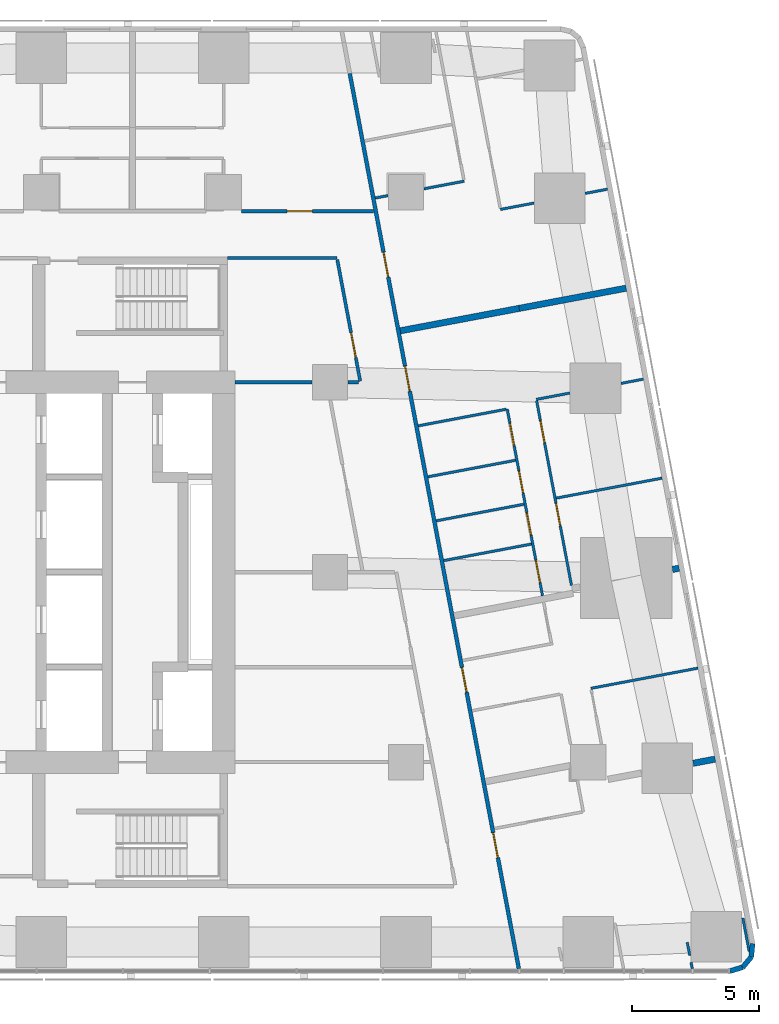
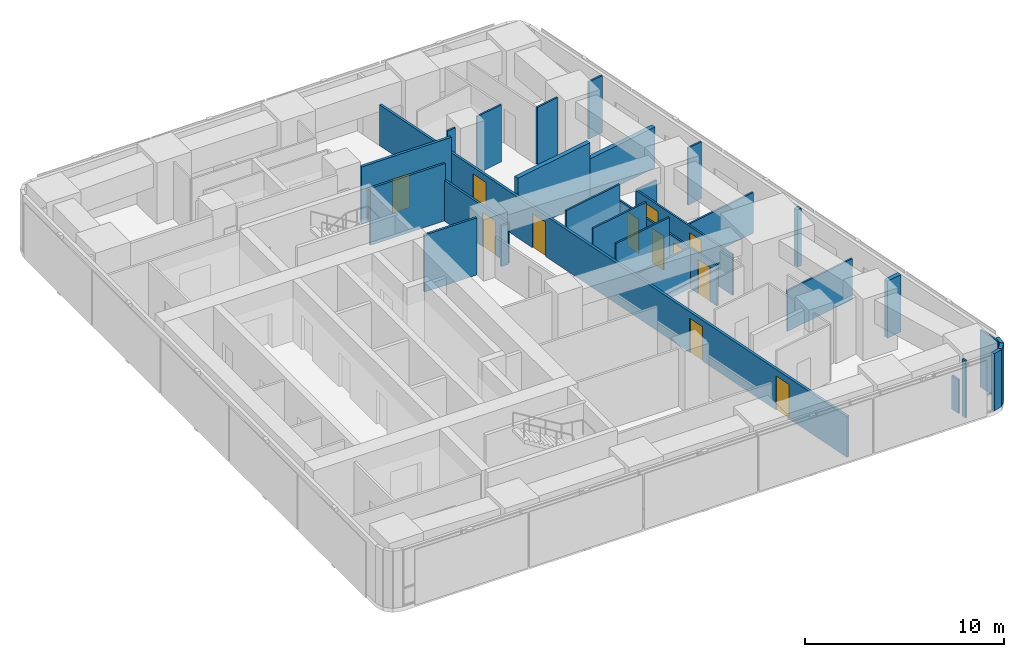
# One storey, part 7 of 11: 30 walls, 12 doors, 12 openings.
"""IFC4 building model written with IfcOpenShell, lengths in metres."""

from ifc_helpers import new_model, si_unit, direction, frame, frame_2d, origin, place, context, subcontext, project, spatial, rectangle, extrude, material, layer, layer_set, type_object, element, fill, save


model = new_model("IFC4")

# Units and contexts
model_context = context("Model", 3, precision=1e-05, world=origin(), true_north=direction((0.0, 1.0)))
body_context = subcontext(model_context, "Body", "Model", "MODEL_VIEW")
ifc_project = project(units=[si_unit("LENGTHUNIT", "METRE"), si_unit("AREAUNIT", "SQUARE_METRE"), si_unit("VOLUMEUNIT", "CUBIC_METRE"), si_unit("PLANEANGLEUNIT", "RADIAN"), si_unit("MASSUNIT", "GRAM", prefix="KILO")], contexts=[model_context])

# Site, building, storey
site_placement = place(None, origin())
site = spatial("IfcSite", under=ifc_project, at=site_placement, CompositionType="ELEMENT")
building_placement = place(site_placement, origin())
building = spatial("IfcBuilding", under=site, at=building_placement, Name="Sheger Commons Tower", CompositionType="ELEMENT")
storey_placement = place(building_placement, frame((0.0, 0.0, 255.35009765625)))
storey = spatial("IfcBuildingStorey", under=building, at=storey_placement, Name="L65", CompositionType="ELEMENT", Elevation=255.35009765625)

# Wall, opening, door
ifc_material_1 = material(Name="Hollow concrete block masonry, skimmed both sides", Category="masonry")
ifc_layer_1 = layer(ifc_material_1, 0.14990234375)
ifc_layer_set_1 = layer_set([ifc_layer_1], Name="CORRIDOR WALL 150")
wall_type_1 = type_object("IfcWallType", Name="CORRIDOR WALL 150", PredefinedType="SOLIDWALL", material=ifc_layer_set_1)
wall_1_placement = place(storey_placement, frame((29.5009765625, 36.75, 0.0), z_axis=(0.0, 0.0, 1.0), x_axis=(1.0, 0.0, 0.0)))
wall_1 = element("IfcWall", 1, at=wall_1_placement, inside=storey, type_object=wall_type_1, Name="Corridor wall L65", PredefinedType="SOLIDWALL", context=body_context, shape_type="SweptSolid", body=[
    extrude(rectangle(XDim=5.216064453125, YDim=0.14990234375, at=frame_2d((2.60791015625, 0.0))), origin(), (0.0, 0.0, 1.0), 3.5),
])
opening_1_placement = place(wall_1_placement, frame((1.802978515625, 0.0, 0.0)))
opening_1 = element("IfcOpeningElement", 2, at=opening_1_placement, cuts=wall_1, Name="Opening D1", PredefinedType="OPENING", context=body_context, shape_type="SweptSolid", body=[
    extrude(rectangle(XDim=1.0, YDim=2.10009765625, at=frame_2d((0.5, 1.050048828125))), frame((0.0, 0.0849609375, 0.0), z_axis=(0.0, -1.0, 0.0), x_axis=(1.0, 0.0, 0.0)), (0.0, 0.0, 1.0), 0.169921875),
])
ifc_material_2 = material(Name="Steel door set, fire rated", Category="steel")
door_type_1 = type_object("IfcDoorType", Name="FLAT ENTRANCE DOOR 1000x2100", OperationType="NOTDEFINED", PredefinedType="DOOR", material=ifc_material_2)
door_1_placement = place(opening_1_placement, origin())
door_1 = element("IfcDoor", 3, at=door_1_placement, inside=storey, type_object=door_type_1, Name="Flat entrance door", OperationType="SINGLE_SWING_LEFT", OverallHeight=2.10009765625, OverallWidth=1.0, PredefinedType="DOOR", context=body_context, shape_type="SweptSolid", body=[
    extrude(rectangle(XDim=1.0, YDim=2.10009765625, at=frame_2d((0.5, 1.050048828125))), frame((0.0, 0.02490234375, 0.0), z_axis=(0.0, -1.0, 0.0), x_axis=(1.0, 0.0, 0.0)), (0.0, 0.0, 1.0), 0.050048828125),
])
fill(opening_1, door_1)

# Wall, openings, doors
wall_2_placement = place(storey_placement, frame((33.781005859375, 42.18603515625, 0.0), z_axis=(0.0, 0.0, 1.0), x_axis=(0.185593518645, -0.9826266055, 0.0)))
wall_2 = element("IfcWall", 4, at=wall_2_placement, inside=storey, type_object=wall_type_1, Name="Corridor wall L65", PredefinedType="SOLIDWALL", context=body_context, shape_type="SweptSolid", body=[
    extrude(rectangle(XDim=35.960693359375, YDim=0.14990234375, at=frame_2d((17.98046875, 0.0))), origin(), (0.0, 0.0, 1.0), 2.5),
])
opening_2_placement = place(wall_2_placement, frame((7.18310546875, 0.0, 0.0)))
opening_2 = element("IfcOpeningElement", 5, at=opening_2_placement, cuts=wall_2, Name="Opening D1", PredefinedType="OPENING", context=body_context, shape_type="SweptSolid", body=[
    extrude(rectangle(XDim=1.0, YDim=2.10009765625, at=frame_2d((0.5, 1.050048828125))), frame((0.0, 0.0849609375, 0.0), z_axis=(0.0, -1.0, 0.0), x_axis=(1.0, 0.0, 0.0)), (0.0, 0.0, 1.0), 0.169921875),
])
opening_3_placement = place(wall_2_placement, frame((11.760009765625, 0.0, 0.0)))
opening_3 = element("IfcOpeningElement", 6, at=opening_3_placement, cuts=wall_2, Name="Opening D1", PredefinedType="OPENING", context=body_context, shape_type="SweptSolid", body=[
    extrude(rectangle(XDim=1.0, YDim=2.10009765625, at=frame_2d((0.5, 1.050048828125))), frame((0.0, 0.0849609375, 0.0), z_axis=(0.0, -1.0, 0.0), x_axis=(1.0, 0.0, 0.0)), (0.0, 0.0, 1.0), 0.169921875),
])
opening_4_placement = place(wall_2_placement, frame((23.863037109375, 0.0, 0.0)))
opening_4 = element("IfcOpeningElement", 7, at=opening_4_placement, cuts=wall_2, Name="Opening D1", PredefinedType="OPENING", context=body_context, shape_type="SweptSolid", body=[
    extrude(rectangle(XDim=1.0, YDim=2.10009765625, at=frame_2d((0.5, 1.050048828125))), frame((0.0, 0.0849609375, 0.0), z_axis=(0.0, -1.0, 0.0), x_axis=(1.0, 0.0, 0.0)), (0.0, 0.0, 1.0), 0.169921875),
])
opening_5_placement = place(wall_2_placement, frame((30.501953125, 0.0, 0.0)))
opening_5 = element("IfcOpeningElement", 8, at=opening_5_placement, cuts=wall_2, Name="Opening D1", PredefinedType="OPENING", context=body_context, shape_type="SweptSolid", body=[
    extrude(rectangle(XDim=1.0, YDim=2.10009765625, at=frame_2d((0.5, 1.050048828125))), frame((0.0, 0.0849609375, 0.0), z_axis=(0.0, -1.0, 0.0), x_axis=(1.0, 0.0, 0.0)), (0.0, 0.0, 1.0), 0.169921875),
])
door_2_placement = place(opening_2_placement, origin())
door_2 = element("IfcDoor", 9, at=door_2_placement, inside=storey, type_object=door_type_1, Name="Flat entrance door", OperationType="SINGLE_SWING_RIGHT", OverallHeight=2.10009765625, OverallWidth=1.0, PredefinedType="DOOR", context=body_context, shape_type="SweptSolid", body=[
    extrude(rectangle(XDim=1.0, YDim=2.10009765625, at=frame_2d((0.5, 1.050048828125))), frame((0.0, 0.02490234375, 0.0), z_axis=(0.0, -1.0, 0.0), x_axis=(1.0, 0.0, 0.0)), (0.0, 0.0, 1.0), 0.050048828125),
])
fill(opening_2, door_2)
door_3_placement = place(opening_3_placement, origin())
door_3 = element("IfcDoor", 10, at=door_3_placement, inside=storey, type_object=door_type_1, Name="Flat entrance door", OperationType="SINGLE_SWING_LEFT", OverallHeight=2.10009765625, OverallWidth=1.0, PredefinedType="DOOR", context=body_context, shape_type="SweptSolid", body=[
    extrude(rectangle(XDim=1.0, YDim=2.10009765625, at=frame_2d((0.5, 1.050048828125))), frame((0.0, 0.02490234375, 0.0), z_axis=(0.0, -1.0, 0.0), x_axis=(1.0, 0.0, 0.0)), (0.0, 0.0, 1.0), 0.050048828125),
])
fill(opening_3, door_3)
door_4_placement = place(opening_4_placement, origin())
door_4 = element("IfcDoor", 11, at=door_4_placement, inside=storey, type_object=door_type_1, Name="Flat entrance door", OperationType="SINGLE_SWING_LEFT", OverallHeight=2.10009765625, OverallWidth=1.0, PredefinedType="DOOR", context=body_context, shape_type="SweptSolid", body=[
    extrude(rectangle(XDim=1.0, YDim=2.10009765625, at=frame_2d((0.5, 1.050048828125))), frame((0.0, 0.02490234375, 0.0), z_axis=(0.0, -1.0, 0.0), x_axis=(1.0, 0.0, 0.0)), (0.0, 0.0, 1.0), 0.050048828125),
])
fill(opening_4, door_4)
door_5_placement = place(opening_5_placement, origin())
door_5 = element("IfcDoor", 12, at=door_5_placement, inside=storey, type_object=door_type_1, Name="Flat entrance door", OperationType="SINGLE_SWING_LEFT", OverallHeight=2.10009765625, OverallWidth=1.0, PredefinedType="DOOR", context=body_context, shape_type="SweptSolid", body=[
    extrude(rectangle(XDim=1.0, YDim=2.10009765625, at=frame_2d((0.5, 1.050048828125))), frame((0.0, 0.02490234375, 0.0), z_axis=(0.0, -1.0, 0.0), x_axis=(1.0, 0.0, 0.0)), (0.0, 0.0, 1.0), 0.050048828125),
])
fill(opening_5, door_5)

# Walls
ifc_material_3 = material(Name="Dense concrete block masonry, plastered both sides (separating wall between flats)", Category="masonry")
ifc_layer_2 = layer(ifc_material_3, 0.25)
ifc_layer_set_2 = layer_set([ifc_layer_2], Name="DEMISING WALL 250")
wall_type_2 = type_object("IfcWallType", Name="DEMISING WALL 250", PredefinedType="SOLIDWALL", material=ifc_layer_set_2)
wall_3_placement = place(storey_placement, frame((44.693115234375, 33.712890625, 0.0), z_axis=(0.0, 0.0, 1.0), x_axis=(-0.982633535512, -0.185556823879, 0.0)))
element("IfcWall", 13, at=wall_3_placement, inside=storey, type_object=wall_type_2, Name="Demising wall L65", PredefinedType="SOLIDWALL", context=body_context, shape_type="SweptSolid", body=[
    extrude(rectangle(XDim=4.2998046875, YDim=0.25, at=frame_2d((2.14990234375, 0.0))), origin(), (0.0, 0.0, 1.0), 2.5),
])
wall_4_placement = place(storey_placement, frame((40.468017578125, 32.9150390625, 0.0), z_axis=(0.0, 0.0, 1.0), x_axis=(-0.982635807605, -0.185544791394, 0.0)))
element("IfcWall", 14, at=wall_4_placement, inside=storey, type_object=wall_type_2, Name="Demising wall L65", PredefinedType="SOLIDWALL", context=body_context, shape_type="SweptSolid", body=[
    extrude(rectangle(XDim=4.775146484375, YDim=0.25, at=frame_2d((2.3876953125, 0.0))), origin(), (0.0, 0.0, 1.0), 3.5),
])
wall_5_placement = place(storey_placement, frame((46.781982421875, 22.656982421875, 0.0), z_axis=(0.0, 0.0, 1.0), x_axis=(-0.982104607121, -0.188336243648, 0.0)))
element("IfcWall", 15, at=wall_5_placement, inside=storey, type_object=wall_type_2, Name="Demising wall L65", PredefinedType="SOLIDWALL", context=body_context, shape_type="SweptSolid", body=[
    extrude(rectangle(XDim=0.265625, YDim=0.25, at=frame_2d((0.1328125, 0.0))), origin(), (0.0, 0.0, 1.0), 3.5),
])
wall_6_placement = place(storey_placement, frame((48.2060546875, 15.1201171875, 0.0), z_axis=(0.0, 0.0, 1.0), x_axis=(-0.982608419258, -0.185689780017, 0.0)))
element("IfcWall", 16, at=wall_6_placement, inside=storey, type_object=wall_type_2, Name="Demising wall L65", PredefinedType="SOLIDWALL", context=body_context, shape_type="SweptSolid", body=[
    extrude(rectangle(XDim=0.883544921875, YDim=0.25, at=frame_2d((0.44189453125, 0.0))), origin(), (0.0, 0.0, 1.0), 3.5),
])
ifc_material_4 = material(Name="Rendered concrete block masonry, dark grey", Category="masonry")
ifc_layer_3 = layer(ifc_material_4, 0.199951171875)
ifc_layer_set_3 = layer_set([ifc_layer_3], Name="FACADE WALL 200")
wall_type_3 = type_object("IfcWallType", Name="FACADE WALL 200", PredefinedType="SOLIDWALL", material=ifc_layer_set_3)
wall_7_placement = place(storey_placement, frame((48.787109375, 6.75, 0.0), z_axis=(0.0, 0.0, 1.0), x_axis=(0.957282247819, 0.289155145225, 0.0)))
element("IfcWall", 17, at=wall_7_placement, inside=storey, type_object=wall_type_3, Name="Facade wall L65", PredefinedType="SOLIDWALL", context=body_context, shape_type="SweptSolid", body=[
    extrude(rectangle(XDim=0.53271484375, YDim=0.199951171875, at=frame_2d((0.266357421875, 0.0))), origin(), (0.0, 0.0, 1.0), 3.5),
])
wall_8_placement = place(storey_placement, frame((49.297119140625, 6.904052734375, 0.0), z_axis=(0.0, 0.0, 1.0), x_axis=(0.639255849474, 0.768994121508, 0.0)))
element("IfcWall", 18, at=wall_8_placement, inside=storey, type_object=wall_type_3, Name="Facade wall L65", PredefinedType="SOLIDWALL", context=body_context, shape_type="SweptSolid", body=[
    extrude(rectangle(XDim=0.517578125, YDim=0.199951171875, at=frame_2d((0.2587890625, 0.0))), origin(), (0.0, 0.0, 1.0), 3.5),
])
wall_9_placement = place(storey_placement, frame((49.6279296875, 7.302001953125, 0.0), z_axis=(0.0, 0.0, 1.0), x_axis=(0.105352390132, 0.994434952068, 0.0)))
element("IfcWall", 19, at=wall_9_placement, inside=storey, type_object=wall_type_3, Name="Facade wall L65", PredefinedType="SOLIDWALL", context=body_context, shape_type="SweptSolid", body=[
    extrude(rectangle(XDim=0.532958984375, YDim=0.199951171875, at=frame_2d((0.2666015625, 0.0))), origin(), (0.0, 0.0, 1.0), 3.5),
])
ifc_material_5 = material(Name="Gypsum board on steel studs", Category="steel")
ifc_layer_4 = layer(ifc_material_5, 0.10009765625)
ifc_layer_set_4 = layer_set([ifc_layer_4], Name="PARTITION 100")
wall_type_4 = type_object("IfcWallType", Name="PARTITION 100", PredefinedType="PARTITIONING", material=ifc_layer_set_4)
wall_10_placement = place(storey_placement, frame((49.300048828125, 8.85107421875, 0.0), z_axis=(0.0, 0.0, 1.0), x_axis=(0.18581620423, -0.982584519645, 0.0)))
element("IfcWall", 20, at=wall_10_placement, inside=storey, type_object=wall_type_4, Name="Partition L65", PredefinedType="PARTITIONING", context=body_context, shape_type="SweptSolid", body=[
    extrude(rectangle(XDim=1.3505859375, YDim=0.10009765625, at=frame_2d((0.67529296875, 0.0))), origin(), (0.0, 0.0, 1.0), 3.5),
])
wall_11_placement = place(storey_placement, frame((47.301025390625, 6.85009765625, 0.0), z_axis=(0.0, 0.0, 1.0), x_axis=(-0.187513903188, 0.982261948826, 0.0)))
element("IfcWall", 21, at=wall_11_placement, inside=storey, type_object=wall_type_4, Name="Partition L65", PredefinedType="PARTITIONING", context=body_context, shape_type="SweptSolid", body=[
    extrude(rectangle(XDim=0.251220703125, YDim=0.10009765625, at=frame_2d((0.12548828125, 0.0))), origin(), (0.0, 0.0, 1.0), 3.5),
])
wall_12_placement = place(storey_placement, frame((47.202880859375, 7.368896484375, 0.0), z_axis=(0.0, 0.0, 1.0), x_axis=(-0.186456243114, 0.982463266185, 0.0)))
element("IfcWall", 22, at=wall_12_placement, inside=storey, type_object=wall_type_4, Name="Partition L65", PredefinedType="PARTITIONING", context=body_context, shape_type="SweptSolid", body=[
    extrude(rectangle(XDim=0.5302734375, YDim=0.10009765625, at=frame_2d((0.26513671875, 0.0))), origin(), (0.0, 0.0, 1.0), 2.0498046875),
])
wall_13_placement = place(storey_placement, frame((43.955078125, 37.6201171875, 0.0), z_axis=(0.0, 0.0, 1.0), x_axis=(-0.982708424405, -0.18515980288, 0.0)))
element("IfcWall", 23, at=wall_13_placement, inside=storey, type_object=wall_type_4, Name="Partition L65", PredefinedType="PARTITIONING", context=body_context, shape_type="SweptSolid", body=[
    extrude(rectangle(XDim=0.896728515625, YDim=0.10009765625, at=frame_2d((0.4482421875, 0.0))), origin(), (0.0, 0.0, 1.0), 3.5),
])
wall_14_placement = place(storey_placement, frame((41.053955078125, 37.072021484375, 0.0), z_axis=(0.0, 0.0, 1.0), x_axis=(-0.982635482721, -0.18554651195, 0.0)))
element("IfcWall", 24, at=wall_14_placement, inside=storey, type_object=wall_type_4, Name="Partition L65", PredefinedType="PARTITIONING", context=body_context, shape_type="SweptSolid", body=[
    extrude(rectangle(XDim=1.347412109375, YDim=0.10009765625, at=frame_2d((0.673828125, 0.0))), origin(), (0.0, 0.0, 1.0), 3.5),
])
wall_15_placement = place(storey_placement, frame((38.299072265625, 37.93505859375, 0.0), z_axis=(0.0, 0.0, 1.0), x_axis=(-0.98263725405, -0.185537130931, 0.0)))
element("IfcWall", 25, at=wall_15_placement, inside=storey, type_object=wall_type_4, Name="Partition L65", PredefinedType="PARTITIONING", context=body_context, shape_type="SweptSolid", body=[
    extrude(rectangle(XDim=1.6171875, YDim=0.10009765625, at=frame_2d((0.80859375, 0.0))), origin(), (0.0, 0.0, 1.0), 3.5),
])
wall_16_placement = place(storey_placement, frame((35.2900390625, 37.365966796875, 0.0), z_axis=(0.0, 0.0, 1.0), x_axis=(-0.982715597703, -0.185121727606, 0.0)))
element("IfcWall", 26, at=wall_16_placement, inside=storey, type_object=wall_type_4, Name="Partition L65", PredefinedType="PARTITIONING", context=body_context, shape_type="SweptSolid", body=[
    extrude(rectangle(XDim=0.512939453125, YDim=0.10009765625, at=frame_2d((0.25634765625, 0.0))), origin(), (0.0, 0.0, 1.0), 3.5),
])

# Wall, openings, doors
wall_17_placement = place(storey_placement, frame((41.156982421875, 29.27294921875, 0.0), z_axis=(0.0, 0.0, 1.0), x_axis=(0.18542464283, -0.982658486877, 0.0)))
wall_17 = element("IfcWall", 27, at=wall_17_placement, inside=storey, type_object=wall_type_4, Name="Partition L65", PredefinedType="PARTITIONING", context=body_context, shape_type="SweptSolid", body=[
    extrude(rectangle(XDim=7.420654296875, YDim=0.10009765625, at=frame_2d((3.71044921875, 0.0))), origin(), (0.0, 0.0, 1.0), 2.5),
])
opening_6_placement = place(wall_17_placement, frame((0.800048828125, 0.0, 0.0)))
opening_6 = element("IfcOpeningElement", 28, at=opening_6_placement, cuts=wall_17, Name="Opening D2", PredefinedType="OPENING", context=body_context, shape_type="SweptSolid", body=[
    extrude(rectangle(XDim=0.89990234375, YDim=2.10009765625, at=frame_2d((0.449951171875, 1.050048828125))), frame((0.0, 0.06005859375, 0.0), z_axis=(0.0, -1.0, 0.0), x_axis=(1.0, 0.0, 0.0)), (0.0, 0.0, 1.0), 0.1201171875),
])
opening_7_placement = place(wall_17_placement, frame((4.1259765625, 0.0, 0.0)))
opening_7 = element("IfcOpeningElement", 29, at=opening_7_placement, cuts=wall_17, Name="Opening D2", PredefinedType="OPENING", context=body_context, shape_type="SweptSolid", body=[
    extrude(rectangle(XDim=0.89990234375, YDim=2.10009765625, at=frame_2d((0.449951171875, 1.050048828125))), frame((0.0, 0.06005859375, 0.0), z_axis=(0.0, -1.0, 0.0), x_axis=(1.0, 0.0, 0.0)), (0.0, 0.0, 1.0), 0.1201171875),
])
ifc_material_6 = material(Name="Timber door set", Category="wood")
door_type_2 = type_object("IfcDoorType", Name="INTERNAL DOOR 900x2100", OperationType="NOTDEFINED", PredefinedType="DOOR", material=ifc_material_6)
door_6_placement = place(opening_6_placement, origin())
door_6 = element("IfcDoor", 30, at=door_6_placement, inside=storey, type_object=door_type_2, Name="Main bedroom door", OperationType="SINGLE_SWING_LEFT", OverallHeight=2.10009765625, OverallWidth=0.89990234375, PredefinedType="DOOR", context=body_context, shape_type="SweptSolid", body=[
    extrude(rectangle(XDim=0.89990234375, YDim=2.10009765625, at=frame_2d((0.449951171875, 1.050048828125))), frame((0.0, 0.02490234375, 0.0), z_axis=(0.0, -1.0, 0.0), x_axis=(1.0, 0.0, 0.0)), (0.0, 0.0, 1.0), 0.050048828125),
])
fill(opening_6, door_6)
door_7_placement = place(opening_7_placement, origin())
door_7 = element("IfcDoor", 31, at=door_7_placement, inside=storey, type_object=door_type_2, Name="Bedroom 2 door", OperationType="SINGLE_SWING_LEFT", OverallHeight=2.10009765625, OverallWidth=0.89990234375, PredefinedType="DOOR", context=body_context, shape_type="SweptSolid", body=[
    extrude(rectangle(XDim=0.89990234375, YDim=2.10009765625, at=frame_2d((0.449951171875, 1.050048828125))), frame((0.0, 0.02490234375, 0.0), z_axis=(0.0, -1.0, 0.0), x_axis=(1.0, 0.0, 0.0)), (0.0, 0.0, 1.0), 0.050048828125),
])
fill(opening_7, door_7)

wall_18_placement = place(storey_placement, frame((39.9970703125, 28.94189453125, 0.0), z_axis=(0.0, 0.0, 1.0), x_axis=(0.185686318797, -0.982609073341, 0.0)))
wall_18 = element("IfcWall", 32, at=wall_18_placement, inside=storey, type_object=wall_type_4, Name="Partition L65", PredefinedType="PARTITIONING", context=body_context, shape_type="SweptSolid", body=[
    extrude(rectangle(XDim=7.507568359375, YDim=0.10009765625, at=frame_2d((3.75390625, 0.0))), origin(), (0.0, 0.0, 1.0), 2.5),
])
opening_8_placement = place(wall_18_placement, frame((0.575927734375, 0.0, 0.0)))
opening_8 = element("IfcOpeningElement", 33, at=opening_8_placement, cuts=wall_18, Name="Opening D2", PredefinedType="OPENING", context=body_context, shape_type="SweptSolid", body=[
    extrude(rectangle(XDim=0.89990234375, YDim=2.10009765625, at=frame_2d((0.449951171875, 1.050048828125))), frame((0.0, 0.06005859375, 0.0), z_axis=(0.0, -1.0, 0.0), x_axis=(1.0, 0.0, 0.0)), (0.0, 0.0, 1.0), 0.1201171875),
])
opening_9_placement = place(wall_18_placement, frame((4.166015625, 0.0, 0.0)))
opening_9 = element("IfcOpeningElement", 34, at=opening_9_placement, cuts=wall_18, Name="Opening D2", PredefinedType="OPENING", context=body_context, shape_type="SweptSolid", body=[
    extrude(rectangle(XDim=0.89990234375, YDim=2.10009765625, at=frame_2d((0.449951171875, 1.050048828125))), frame((0.0, 0.06005859375, 0.0), z_axis=(0.0, -1.0, 0.0), x_axis=(1.0, 0.0, 0.0)), (0.0, 0.0, 1.0), 0.1201171875),
])
opening_10_placement = place(wall_18_placement, frame((2.48291015625, 0.0, 0.0)))
opening_10 = element("IfcOpeningElement", 35, at=opening_10_placement, cuts=wall_18, Name="Opening D2", PredefinedType="OPENING", context=body_context, shape_type="SweptSolid", body=[
    extrude(rectangle(XDim=0.89990234375, YDim=2.10009765625, at=frame_2d((0.449951171875, 1.050048828125))), frame((0.0, 0.06005859375, 0.0), z_axis=(0.0, -1.0, 0.0), x_axis=(1.0, 0.0, 0.0)), (0.0, 0.0, 1.0), 0.1201171875),
])
opening_11_placement = place(wall_18_placement, frame((6.073974609375, 0.0, 0.0)))
opening_11 = element("IfcOpeningElement", 36, at=opening_11_placement, cuts=wall_18, Name="Opening D2", PredefinedType="OPENING", context=body_context, shape_type="SweptSolid", body=[
    extrude(rectangle(XDim=0.89990234375, YDim=2.10009765625, at=frame_2d((0.449951171875, 1.050048828125))), frame((0.0, 0.06005859375, 0.0), z_axis=(0.0, -1.0, 0.0), x_axis=(1.0, 0.0, 0.0)), (0.0, 0.0, 1.0), 0.1201171875),
])
door_8_placement = place(opening_8_placement, origin())
door_8 = element("IfcDoor", 37, at=door_8_placement, inside=storey, type_object=door_type_2, Name="Bathroom door", OperationType="SINGLE_SWING_RIGHT", OverallHeight=2.10009765625, OverallWidth=0.89990234375, PredefinedType="DOOR", context=body_context, shape_type="SweptSolid", body=[
    extrude(rectangle(XDim=0.89990234375, YDim=2.10009765625, at=frame_2d((0.449951171875, 1.050048828125))), frame((0.0, 0.02490234375, 0.0), z_axis=(0.0, -1.0, 0.0), x_axis=(1.0, 0.0, 0.0)), (0.0, 0.0, 1.0), 0.050048828125),
])
fill(opening_8, door_8)
door_9_placement = place(opening_9_placement, origin())
door_9 = element("IfcDoor", 38, at=door_9_placement, inside=storey, type_object=door_type_2, Name="Shower room door", OperationType="SINGLE_SWING_LEFT", OverallHeight=2.10009765625, OverallWidth=0.89990234375, PredefinedType="DOOR", context=body_context, shape_type="SweptSolid", body=[
    extrude(rectangle(XDim=0.89990234375, YDim=2.10009765625, at=frame_2d((0.449951171875, 1.050048828125))), frame((0.0, 0.02490234375, 0.0), z_axis=(0.0, -1.0, 0.0), x_axis=(1.0, 0.0, 0.0)), (0.0, 0.0, 1.0), 0.050048828125),
])
fill(opening_9, door_9)
door_10_placement = place(opening_10_placement, origin())
door_10 = element("IfcDoor", 39, at=door_10_placement, inside=storey, type_object=door_type_2, Name="Store door", OperationType="SINGLE_SWING_LEFT", OverallHeight=2.10009765625, OverallWidth=0.89990234375, PredefinedType="DOOR", context=body_context, shape_type="SweptSolid", body=[
    extrude(rectangle(XDim=0.89990234375, YDim=2.10009765625, at=frame_2d((0.449951171875, 1.050048828125))), frame((0.0, 0.02490234375, 0.0), z_axis=(0.0, -1.0, 0.0), x_axis=(1.0, 0.0, 0.0)), (0.0, 0.0, 1.0), 0.050048828125),
])
fill(opening_10, door_10)
door_11_placement = place(opening_11_placement, origin())
door_11 = element("IfcDoor", 40, at=door_11_placement, inside=storey, type_object=door_type_2, Name="Store door", OperationType="SINGLE_SWING_LEFT", OverallHeight=2.10009765625, OverallWidth=0.89990234375, PredefinedType="DOOR", context=body_context, shape_type="SweptSolid", body=[
    extrude(rectangle(XDim=0.89990234375, YDim=2.10009765625, at=frame_2d((0.449951171875, 1.050048828125))), frame((0.0, 0.02490234375, 0.0), z_axis=(0.0, -1.0, 0.0), x_axis=(1.0, 0.0, 0.0)), (0.0, 0.0, 1.0), 0.050048828125),
])
fill(opening_11, door_11)

# Walls
wall_19_placement = place(storey_placement, frame((45.3720703125, 30.12109375, 0.0), z_axis=(0.0, 0.0, 1.0), x_axis=(-0.982547416156, -0.186012297994, 0.0)))
element("IfcWall", 41, at=wall_19_placement, inside=storey, type_object=wall_type_4, Name="Partition L65", PredefinedType="PARTITIONING", context=body_context, shape_type="SweptSolid", body=[
    extrude(rectangle(XDim=0.897705078125, YDim=0.10009765625, at=frame_2d((0.44873046875, 0.0))), origin(), (0.0, 0.0, 1.0), 3.5),
])
wall_20_placement = place(storey_placement, frame((42.469970703125, 29.572021484375, 0.0), z_axis=(0.0, 0.0, 1.0), x_axis=(-0.982610503289, -0.185678751683, 0.0)))
element("IfcWall", 42, at=wall_20_placement, inside=storey, type_object=wall_type_4, Name="Partition L65", PredefinedType="PARTITIONING", context=body_context, shape_type="SweptSolid", body=[
    extrude(rectangle(XDim=1.346435546875, YDim=0.10009765625, at=frame_2d((0.67333984375, 0.0))), origin(), (0.0, 0.0, 1.0), 2.5),
])
wall_21_placement = place(storey_placement, frame((46.110107421875, 26.212890625, 0.0), z_axis=(0.0, 0.0, 1.0), x_axis=(-0.982623519589, -0.185609856287, 0.0)))
element("IfcWall", 43, at=wall_21_placement, inside=storey, type_object=wall_type_4, Name="Partition L65", PredefinedType="PARTITIONING", context=body_context, shape_type="SweptSolid", body=[
    extrude(rectangle(XDim=4.249755859375, YDim=0.10009765625, at=frame_2d((2.125, 0.0))), origin(), (0.0, 0.0, 1.0), 2.5),
])
wall_22_placement = place(storey_placement, frame((39.947998046875, 28.93310546875, 0.0), z_axis=(0.0, 0.0, 1.0), x_axis=(-0.982588017646, -0.185797706064, 0.0)))
element("IfcWall", 44, at=wall_22_placement, inside=storey, type_object=wall_type_4, Name="Partition L65", PredefinedType="PARTITIONING", context=body_context, shape_type="SweptSolid", body=[
    extrude(rectangle(XDim=3.525390625, YDim=0.10009765625, at=frame_2d((1.7626953125, 0.0))), origin(), (0.0, 0.0, 1.0), 3.5),
])
wall_23_placement = place(storey_placement, frame((40.656005859375, 25.18310546875, 0.0), z_axis=(0.0, 0.0, 1.0), x_axis=(-0.982576058723, -0.185860939478, 0.0)))
element("IfcWall", 45, at=wall_23_placement, inside=storey, type_object=wall_type_4, Name="Partition L65", PredefinedType="PARTITIONING", context=body_context, shape_type="SweptSolid", body=[
    extrude(rectangle(XDim=3.5244140625, YDim=0.10009765625, at=frame_2d((1.76220703125, 0.0))), origin(), (0.0, 0.0, 1.0), 3.5),
])
wall_24_placement = place(storey_placement, frame((40.3291015625, 26.91796875, 0.0), z_axis=(0.0, 0.0, 1.0), x_axis=(-0.982638553676, -0.185530247748, 0.0)))
element("IfcWall", 46, at=wall_24_placement, inside=storey, type_object=wall_type_4, Name="Partition L65", PredefinedType="PARTITIONING", context=body_context, shape_type="SweptSolid", body=[
    extrude(rectangle(XDim=3.525390625, YDim=0.10009765625, at=frame_2d((1.7626953125, 0.0))), origin(), (0.0, 0.0, 1.0), 3.5),
])
wall_25_placement = place(storey_placement, frame((40.9541015625, 23.610107421875, 0.0), z_axis=(0.0, 0.0, 1.0), x_axis=(-0.98264808502, -0.18547975902, 0.0)))
element("IfcWall", 47, at=wall_25_placement, inside=storey, type_object=wall_type_4, Name="Partition L65", PredefinedType="PARTITIONING", context=body_context, shape_type="SweptSolid", body=[
    extrude(rectangle(XDim=3.5263671875, YDim=0.10009765625, at=frame_2d((1.76318359375, 0.0))), origin(), (0.0, 0.0, 1.0), 2.5),
])
wall_26_placement = place(storey_placement, frame((47.527099609375, 18.7119140625, 0.0), z_axis=(0.0, 0.0, 1.0), x_axis=(-0.982633535512, -0.185556823879, 0.0)))
element("IfcWall", 48, at=wall_26_placement, inside=storey, type_object=wall_type_4, Name="Partition L65", PredefinedType="PARTITIONING", context=body_context, shape_type="SweptSolid", body=[
    extrude(rectangle(XDim=4.2998046875, YDim=0.10009765625, at=frame_2d((2.14990234375, 0.0))), origin(), (0.0, 0.0, 1.0), 2.5),
])
ifc_material_7 = material(Name="Gypsum board on steel studs, two layers each side, fire rated", Category="steel")
ifc_layer_5 = layer(ifc_material_7, 0.125)
ifc_layer_set_5 = layer_set([ifc_layer_5], Name="SERVICE WALL 125")
wall_type_5 = type_object("IfcWallType", Name="SERVICE WALL 125", PredefinedType="PARTITIONING", material=ifc_layer_set_5)
wall_27_placement = place(storey_placement, frame((28.949951171875, 34.89990234375, 0.0), z_axis=(0.0, 0.0, 1.0), x_axis=(1.0, 0.0, 0.0)))
element("IfcWall", 49, at=wall_27_placement, inside=storey, type_object=wall_type_5, Name="Service room wall L65", PredefinedType="PARTITIONING", context=body_context, shape_type="SweptSolid", body=[
    extrude(rectangle(XDim=4.333984375, YDim=0.125, at=frame_2d((2.1669921875, 0.0))), origin(), (0.0, 0.0, 1.0), 3.5),
])

# Wall, opening, door
wall_28_placement = place(storey_placement, frame((34.193115234375, 30.0400390625, 0.0), z_axis=(0.0, 0.0, 1.0), x_axis=(-0.185556349615, 0.98263362507, 0.0)))
wall_28 = element("IfcWall", 50, at=wall_28_placement, inside=storey, type_object=wall_type_5, Name="Service room wall L65", PredefinedType="PARTITIONING", context=body_context, shape_type="SweptSolid", body=[
    extrude(rectangle(XDim=4.882568359375, YDim=0.125, at=frame_2d((2.44140625, 0.0))), origin(), (0.0, 0.0, 1.0), 2.5),
])
opening_12_placement = place(wall_28_placement, frame((0.949951171875, 0.0, 0.0)))
opening_12 = element("IfcOpeningElement", 51, at=opening_12_placement, cuts=wall_28, Name="Opening D4", PredefinedType="OPENING", context=body_context, shape_type="SweptSolid", body=[
    extrude(rectangle(XDim=1.0, YDim=2.10009765625, at=frame_2d((0.5, 1.050048828125))), frame((0.0, 0.072509765625, 0.0), z_axis=(0.0, -1.0, 0.0), x_axis=(1.0, 0.0, 0.0)), (0.0, 0.0, 1.0), 0.14501953125),
])
ifc_material_8 = material(Name="Steel door set, fire rated", Category="steel")
door_type_3 = type_object("IfcDoorType", Name="SERVICE DOOR 1000x2100", OperationType="NOTDEFINED", PredefinedType="DOOR", material=ifc_material_8)
door_12_placement = place(opening_12_placement, origin())
door_12 = element("IfcDoor", 52, at=door_12_placement, inside=storey, type_object=door_type_3, Name="Linen store door", OperationType="SINGLE_SWING_LEFT", OverallHeight=2.10009765625, OverallWidth=1.0, PredefinedType="DOOR", context=body_context, shape_type="SweptSolid", body=[
    extrude(rectangle(XDim=1.0, YDim=2.10009765625, at=frame_2d((0.5, 1.050048828125))), frame((0.0, 0.02490234375, 0.0), z_axis=(0.0, -1.0, 0.0), x_axis=(1.0, 0.0, 0.0)), (0.0, 0.0, 1.0), 0.050048828125),
])
fill(opening_12, door_12)

# Walls
wall_29_placement = place(storey_placement, frame((29.25, 30.0, 0.0), z_axis=(0.0, 0.0, 1.0), x_axis=(1.0, 0.0, 0.0)))
element("IfcWall", 53, at=wall_29_placement, inside=storey, type_object=wall_type_5, Name="Service room wall L65", PredefinedType="PARTITIONING", context=body_context, shape_type="SweptSolid", body=[
    extrude(rectangle(XDim=3.049072265625, YDim=0.125, at=frame_2d((1.5244140625, 0.0))), origin(), (0.0, 0.0, 1.0), 3.5),
])
wall_30_placement = place(storey_placement, frame((33.700927734375, 30.0, 0.0), z_axis=(0.0, 0.0, 1.0), x_axis=(1.0, 0.0, 0.0)))
element("IfcWall", 54, at=wall_30_placement, inside=storey, type_object=wall_type_5, Name="Service room wall L65", PredefinedType="PARTITIONING", context=body_context, shape_type="SweptSolid", body=[
    extrude(rectangle(XDim=0.424072265625, YDim=0.125, at=frame_2d((0.2119140625, 0.0))), origin(), (0.0, 0.0, 1.0), 2.5),
])

save(model, "model.ifc")
